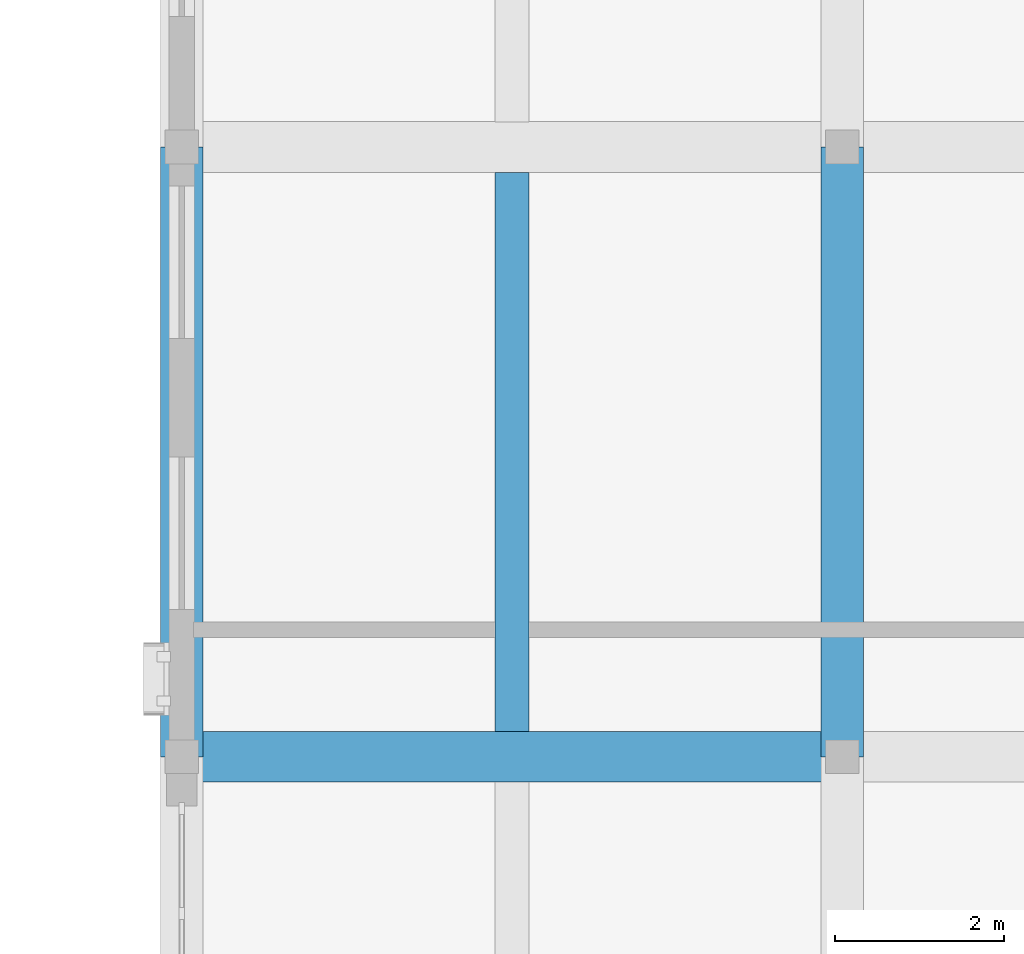
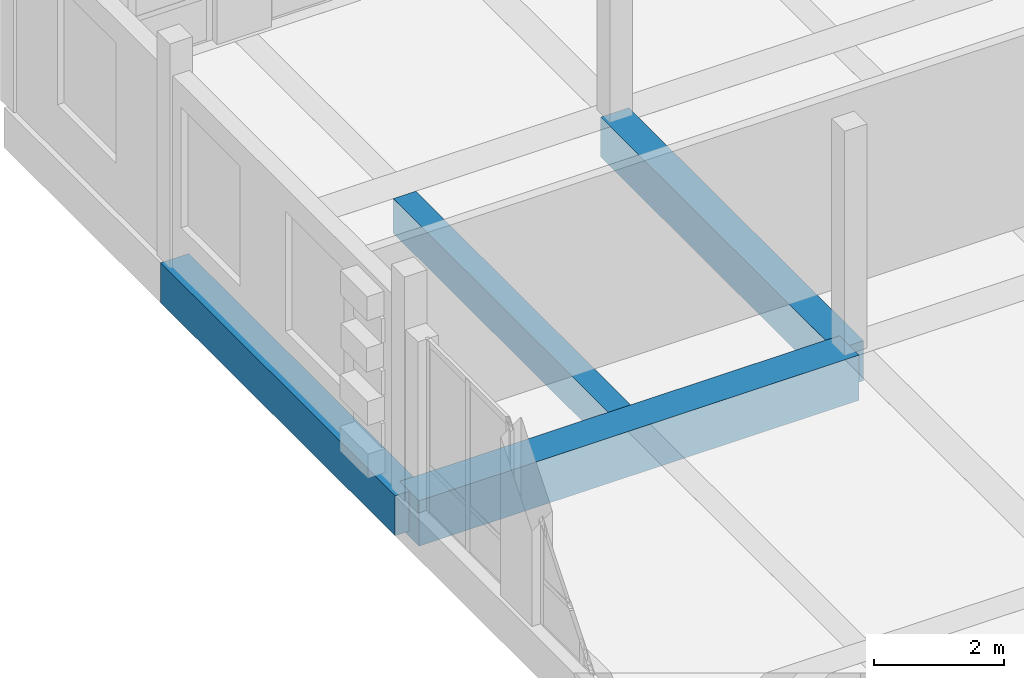
# One storey, part 27 of 99: 4 beams.
"""IFC4 building model written with IfcOpenShell, lengths in metres."""

from ifc_helpers import new_model, si_unit, direction, frame, origin, origin_2d, place, context, subcontext, project, spatial, rectangle, extrude, material, material_profile, profile_set, type_object, element, save


model = new_model("IFC4")

# Units and contexts
model_context = context("Model", 3, precision=1e-05, world=origin(), true_north=direction((0.0, 1.0)))
body_context = subcontext(model_context, "Body", "Model", "MODEL_VIEW")
ifc_project = project(units=[si_unit("LENGTHUNIT", "METRE"), si_unit("AREAUNIT", "SQUARE_METRE"), si_unit("VOLUMEUNIT", "CUBIC_METRE"), si_unit("PLANEANGLEUNIT", "RADIAN"), si_unit("MASSUNIT", "GRAM", prefix="KILO")], contexts=[model_context])

# Site, building, storey
site_placement = place(None, origin())
site = spatial("IfcSite", under=ifc_project, at=site_placement, CompositionType="ELEMENT")
building_placement = place(site_placement, origin())
building = spatial("IfcBuilding", under=site, at=building_placement, Name="Kahlenmark Community Centre", CompositionType="ELEMENT")
storey_placement = place(building_placement, frame((0.0, 0.0, 5.39990234375)))
storey = spatial("IfcBuildingStorey", under=building, at=storey_placement, Name="L01", CompositionType="ELEMENT", Elevation=5.39990234375)

# Beams
ifc_material = material(Name="Concrete C35/45", Category="concrete")
ifc_material_profile_1 = material_profile(ifc_material, rectangle(XDim=0.5, YDim=0.75, at=origin_2d()), Name="RC 500x750")
ifc_profile_set_1 = profile_set([ifc_material_profile_1], Name="Concrete C35/45")
beam_type_1 = type_object("IfcBeamType", Name="BT-BEAM-RC500x750", PredefinedType="BEAM", material=ifc_profile_set_1)
beam_1_placement = place(storey_placement, frame((129.39990234375, 30.39990234375, -0.375), z_axis=(0.0, 1.0, 0.0), x_axis=(-1.0, 0.0, 0.0)))
element("IfcBeam", 1, at=beam_1_placement, inside=storey, type_object=beam_type_1, Name="L01 beam BG-RC500x750", PredefinedType="BEAM", context=body_context, shape_type="SweptSolid", body=[
    extrude(rectangle(XDim=0.5, YDim=0.75, at=origin_2d()), origin(), (0.0, 0.0, 1.0), 7.2001953125),
])
ifc_material_profile_2 = material_profile(ifc_material, rectangle(XDim=0.60009765625, YDim=0.85009765625, at=origin_2d()), Name="RC 600x850")
ifc_profile_set_2 = profile_set([ifc_material_profile_2], Name="Concrete C35/45")
beam_type_2 = type_object("IfcBeamType", Name="BT-BEAM-RC600x850", PredefinedType="BEAM", material=ifc_profile_set_2)
beam_2_placement = place(storey_placement, frame((121.60009765625, 30.39990234375, -0.4248046875), z_axis=(1.0, 0.0, 0.0), x_axis=(0.0, 1.0, 0.0)))
element("IfcBeam", 2, at=beam_2_placement, inside=storey, type_object=beam_type_2, Name="L01 beam BG-RC600x850", PredefinedType="BEAM", context=body_context, shape_type="SweptSolid", body=[
    extrude(rectangle(XDim=0.60009765625, YDim=0.85009765625, at=origin_2d()), origin(), (0.0, 0.0, 1.0), 7.7998046875),
])
ifc_material_profile_3 = material_profile(ifc_material, rectangle(XDim=0.39990234375, YDim=0.64990234375, at=origin_2d()), Name="RC 400x650")
ifc_profile_set_3 = profile_set([ifc_material_profile_3], Name="Concrete C35/45")
beam_type_3 = type_object("IfcBeamType", Name="BT-JOIST-RC400x650", PredefinedType="JOIST", material=ifc_profile_set_3)
beam_3_placement = place(storey_placement, frame((125.5, 30.697998046875, -0.324951171875), z_axis=(0.0, 1.0, 0.0), x_axis=(-1.0, 0.0, 0.0)))
element("IfcBeam", 3, at=beam_3_placement, inside=storey, type_object=beam_type_3, Name="L01 joist BJ-RC400x650", PredefinedType="JOIST", context=body_context, shape_type="SweptSolid", body=[
    extrude(rectangle(XDim=0.39990234375, YDim=0.64990234375, at=origin_2d()), origin(), (0.0, 0.0, 1.0), 6.60400390625),
])
ifc_material_profile_4 = material_profile(ifc_material, rectangle(XDim=0.5, YDim=0.75, at=origin_2d()), Name="RC 500x750")
ifc_profile_set_4 = profile_set([ifc_material_profile_4], Name="Concrete C35/45")
beam_type_4 = type_object("IfcBeamType", Name="BT-SPANDREL-RC500x750", PredefinedType="SPANDREL", material=ifc_profile_set_4)
beam_4_placement = place(storey_placement, frame((121.60009765625, 30.39990234375, -0.375), z_axis=(0.0, 1.0, 0.0), x_axis=(-1.0, 0.0, 0.0)))
element("IfcBeam", 4, at=beam_4_placement, inside=storey, type_object=beam_type_4, Name="L01 spandrel SP-RC500x750", PredefinedType="SPANDREL", context=body_context, shape_type="SweptSolid", body=[
    extrude(rectangle(XDim=0.5, YDim=0.75, at=origin_2d()), origin(), (0.0, 0.0, 1.0), 7.2001953125),
])

save(model, "model.ifc")
